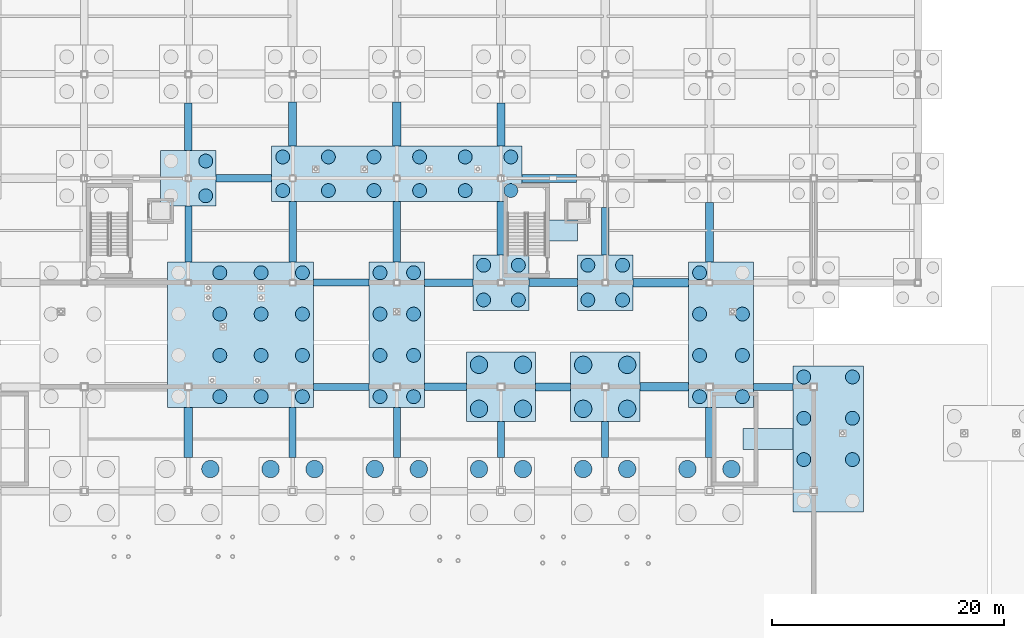
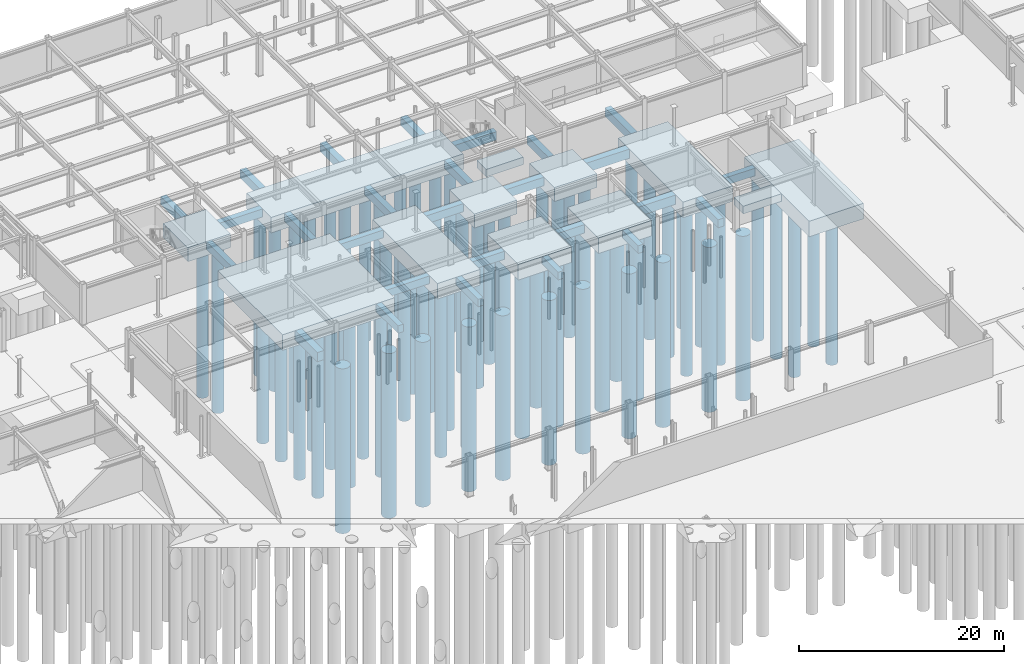
# One storey, part 6 of 74: 74 piles, 39 footings.
"""IFC4 building model written with IfcOpenShell, lengths in metres."""

import ifcopenshell
import ifcopenshell.guid

model = None  # the IFC model being written
_history = None  # IfcOwnerHistory: only IFC2X3 demands one
_inside = {}  # id of a spatial element -> (the spatial element, [elements in it])
_under = {}  # id of a project, library or spatial element -> (it, [spatial elements below it])
_declared = {}  # id of a project -> (the project, [libraries it declares])
_typed = {}  # id of a type object -> (the type object, [elements of that type])
_made_of = {}  # id of a material, layer set ... -> (it, [elements and type objects made of it])


def new_model(schema):
    """Start an empty IFC model of exactly this schema.

    Asked for "IFC4X3", IfcOpenShell would pick the latest addendum, in which some entities
    have other attributes; the version numbers below select the first issue.
    IFC2X3 requires an IfcOwnerHistory on every rooted entity: one is made here for all.
    """
    global model, _history
    if schema == "IFC4X3":
        model = ifcopenshell.file(schema_version=(4, 3, 0, 0))
    else:
        model = ifcopenshell.file(schema=schema)
    _inside.clear()
    _under.clear()
    _declared.clear()
    _typed.clear()
    _made_of.clear()
    _history = None
    if model.schema == "IFC2X3":
        org = make("IfcOrganization", Name="unknown")
        user = make(
            "IfcPersonAndOrganization",
            ThePerson=make("IfcPerson", FamilyName="unknown"),
            TheOrganization=org,
        )
        app = make(
            "IfcApplication",
            ApplicationDeveloper=org,
            Version="unknown",
            ApplicationFullName="unknown",
            ApplicationIdentifier="unknown",
        )
        _history = make(
            "IfcOwnerHistory",
            OwningUser=user,
            OwningApplication=app,
            ChangeAction="ADDED",
            CreationDate=0,
        )
    return model


def make(cls, **values):
    """One entity of the class cls with the attributes given. An attribute that is None is left unset."""
    return model.create_entity(
        cls, **{name: value for name, value in values.items() if value is not None}
    )


def rooted(cls, **values):
    """An entity with a GlobalId (a new one), such as an element, a storey or a relation."""
    return make(cls, GlobalId=ifcopenshell.guid.new(), OwnerHistory=_history, **values)


def si_unit(unit_type, name, prefix=None):
    """IfcSIUnit, for example si_unit("LENGTHUNIT", "METRE", prefix="MILLI")."""
    return make("IfcSIUnit", UnitType=unit_type, Prefix=prefix, Name=name)


def assignment(units):
    """IfcUnitAssignment: the units of a project."""
    return None if units is None else make("IfcUnitAssignment", Units=units)


def point(xyz):
    """IfcCartesianPoint."""
    return None if xyz is None else make("IfcCartesianPoint", Coordinates=xyz)


def direction(xyz):
    """IfcDirection."""
    return None if xyz is None else make("IfcDirection", DirectionRatios=xyz)


def frame(location, z_axis=None, x_axis=None):
    """IfcAxis2Placement3D, a coordinate frame: its origin and axes. An axis left out is left unset."""
    return make(
        "IfcAxis2Placement3D",
        Location=point(location),
        Axis=direction(z_axis),
        RefDirection=direction(x_axis),
    )


def frame_2d(location, x_axis=None):
    """IfcAxis2Placement2D, a coordinate frame in the plane: its origin and x axis."""
    return make(
        "IfcAxis2Placement2D", Location=point(location), RefDirection=direction(x_axis)
    )


def origin():
    """The frame at (0, 0, 0) with its axes left unset."""
    return frame((0.0, 0.0, 0.0))


def origin_2d():
    """The frame at (0, 0) in the plane with its x axis left unset."""
    return frame_2d((0.0, 0.0))


def place(relative_to, where):
    """IfcLocalPlacement: puts the frame where relative to a parent placement (None: the world)."""
    return make(
        "IfcLocalPlacement", PlacementRelTo=relative_to, RelativePlacement=where
    )


def context(
    kind, dimensions, precision=None, world=None, true_north=None, identifier=None
):
    """IfcGeometricRepresentationContext, for example the 3D "Model" context."""
    return make(
        "IfcGeometricRepresentationContext",
        ContextIdentifier=identifier,
        ContextType=kind,
        CoordinateSpaceDimension=dimensions,
        Precision=precision,
        WorldCoordinateSystem=world,
        TrueNorth=true_north,
    )


def subcontext(parent, identifier, kind, view, scale=None):
    """IfcGeometricRepresentationSubContext, for example "Body" below "Model"."""
    return make(
        "IfcGeometricRepresentationSubContext",
        ContextIdentifier=identifier,
        ContextType=kind,
        ParentContext=parent,
        TargetScale=scale,
        TargetView=view,
    )


def project(units=None, contexts=None):
    """IfcProject with its units and contexts."""
    return rooted(
        "IfcProject",
        Name="project",
        RepresentationContexts=contexts,
        UnitsInContext=assignment(units),
    )


def spatial(cls, under=None, at=None, **own):
    """A site, building, storey or space (cls), placed at a placement, below another one or the project."""
    s = rooted(cls, ObjectPlacement=at, **own)
    if under is not None:
        _under.setdefault(under.id(), (under, []))[1].append(s)
    return s


def polyline(points):
    """IfcPolyline through the points."""
    return make("IfcPolyline", Points=[point(p) for p in points])


def profile(cls, at=None, kind="AREA", **sizes):
    """A parametric profile (cls). Its sizes go by their IFC names, for example OverallWidth=200.0."""
    return make(cls, ProfileType=kind, Position=at, **sizes)


def rectangle(**sizes):
    """IfcRectangleProfileDef."""
    return profile("IfcRectangleProfileDef", **sizes)


def circle(**sizes):
    """IfcCircleProfileDef."""
    return profile("IfcCircleProfileDef", **sizes)


def outline(outer, holes=None, kind="AREA"):
    """IfcArbitraryClosedProfileDef: a profile drawn as a closed curve; with holes, ...WithVoids."""
    if holes is None:
        return make("IfcArbitraryClosedProfileDef", ProfileType=kind, OuterCurve=outer)
    return make(
        "IfcArbitraryProfileDefWithVoids",
        ProfileType=kind,
        OuterCurve=outer,
        InnerCurves=holes,
    )


def extrude(swept, where, along, depth):
    """IfcExtrudedAreaSolid: the profile swept, set in the frame where, extruded along a direction by depth."""
    return make(
        "IfcExtrudedAreaSolid",
        SweptArea=swept,
        Position=where,
        ExtrudedDirection=direction(along),
        Depth=depth,
    )


def shape(context_of_items, identifier, shape_type, items):
    """IfcShapeRepresentation: the items that make up one representation, for example the "Body"."""
    return make(
        "IfcShapeRepresentation",
        ContextOfItems=context_of_items,
        RepresentationIdentifier=identifier,
        RepresentationType=shape_type,
        Items=items,
    )


def material(Name=None, Category=None):
    """IfcMaterial."""
    return make("IfcMaterial", Name=Name, Category=Category)


def material_profile(
    of_material, cross_section, Name=None, Category=None, Priority=None
):
    """IfcMaterialProfile: a cross section and its material."""
    return make(
        "IfcMaterialProfile",
        Name=Name,
        Material=of_material,
        Profile=cross_section,
        Priority=Priority,
        Category=Category,
    )


def profile_set(profiles, Name=None, composite=None):
    """IfcMaterialProfileSet."""
    return make(
        "IfcMaterialProfileSet",
        Name=Name,
        MaterialProfiles=profiles,
        CompositeProfile=composite,
    )


def made_of(thing, what):
    """Note that an element or type object is made of a material, layer set ...; save() writes the relation."""
    if what is not None:
        _made_of.setdefault(what.id(), (what, []))[1].append(thing)
    return thing


def type_object(cls, material=None, **own):
    """A type object (cls), such as IfcWallType, which elements share."""
    return made_of(rooted(cls, **own), material)


def element(
    cls,
    number,
    at=None,
    inside=None,
    cuts=None,
    type_object=None,
    material=None,
    context=None,
    identifier="Body",
    shape_type=None,
    held_by="IfcProductDefinitionShape",
    body=None,
    shapes=None,
    **own,
):
    """One element of the class cls, such as IfcWall. Its Tag is "e" and its number.

    at: its placement. inside: the storey or other place that contains it. cuts: it is an
    opening in that element (IfcRelVoidsElement). A single representation is given by context,
    identifier, shape_type and body (its items); several are given by shapes. held_by: the class
    of the entity that holds the representations. save() writes the other relations.
    """
    e = rooted(cls, Tag="e%d" % number, ObjectPlacement=at, **own)
    if body is not None:
        shapes = [shape(context, identifier, shape_type, body)]
    if shapes is not None:
        e.Representation = make(held_by, Representations=shapes)
    if inside is not None:
        _inside.setdefault(inside.id(), (inside, []))[1].append(e)
    if cuts is not None:
        rooted(
            "IfcRelVoidsElement", RelatingBuildingElement=cuts, RelatedOpeningElement=e
        )
    if type_object is not None:
        _typed.setdefault(type_object.id(), (type_object, []))[1].append(e)
    return made_of(e, material)


def aggregate(whole, parts):
    """IfcRelAggregates: a whole, such as a stair, and the parts it consists of."""
    return rooted("IfcRelAggregates", RelatingObject=whole, RelatedObjects=parts)


def save(model, path):
    """Write the relations noted so far, then the file.

    IfcRelAggregates (storeys below a building ...), IfcRelContainedInSpatialStructure (elements
    in a storey), IfcRelDefinesByType, IfcRelAssociatesMaterial and IfcRelDeclares: one each for
    every whole, place, type object, material and project.
    """
    for whole, parts in _under.values():
        aggregate(whole, parts)
    for where, things in _inside.values():
        rooted(
            "IfcRelContainedInSpatialStructure",
            RelatedElements=things,
            RelatingStructure=where,
        )
    for kind, things in _typed.values():
        rooted("IfcRelDefinesByType", RelatedObjects=things, RelatingType=kind)
    for what, things in _made_of.values():
        rooted("IfcRelAssociatesMaterial", RelatedObjects=things, RelatingMaterial=what)
    for by, libraries in _declared.values():
        rooted("IfcRelDeclares", RelatingContext=by, RelatedDefinitions=libraries)
    model.write(path)


model = new_model("IFC4")

# Units and contexts
model_context = context("Model", 3, precision=1e-05, world=origin(), true_north=direction((0.0, 1.0)))
body_context = subcontext(model_context, "Body", "Model", "MODEL_VIEW")
ifc_project = project(units=[si_unit("LENGTHUNIT", "METRE"), si_unit("AREAUNIT", "SQUARE_METRE"), si_unit("VOLUMEUNIT", "CUBIC_METRE"), si_unit("PLANEANGLEUNIT", "RADIAN"), si_unit("MASSUNIT", "GRAM", prefix="KILO")], contexts=[model_context])

# Site, building, storey
site_placement = place(None, origin())
site = spatial("IfcSite", under=ifc_project, at=site_placement, CompositionType="ELEMENT")
building_placement = place(site_placement, origin())
building = spatial("IfcBuilding", under=site, at=building_placement, Name="Suzunagisa Mobility Hub", CompositionType="ELEMENT")
storey_placement = place(building_placement, frame((0.0, 0.0, -4.800048828125)))
storey = spatial("IfcBuildingStorey", under=building, at=storey_placement, Name="B1", CompositionType="ELEMENT", Elevation=-4.800048828125)

# Piles
ifc_material_1 = material(Name="Concrete C30/37", Category="concrete")
ifc_material_profile_1 = material_profile(ifc_material_1, circle(Radius=0.60009765625, at=origin_2d()), Name="BORED PILE D1200")
ifc_profile_set_1 = profile_set([ifc_material_profile_1], Name="Concrete C30/37")
pile_type_1 = type_object("IfcPileType", Name="Bored Pile PL-01 D1200", PredefinedType="BORED", material=ifc_profile_set_1)
for number, where, z_axis, x_axis, name in (
    (1, (65.716796875, 70.14990234375, -2.199951171875), (0.0, 0.0, -1.0), (1.0, 0.0, 0.0), "Bored Pile 52.5"),
    (2, (65.716796875, 73.716796875, -2.199951171875), (0.0, 0.0, -1.0), (1.0, 0.0, 0.0), "Bored Pile 52.6"),
    (3, (65.716796875, 77.283203125, -2.199951171875), (0.0, 0.0, -1.0), (1.0, 0.0, 0.0), "Bored Pile 52.7"),
    (4, (65.716796875, 80.85009765625, -2.199951171875), (0.0, 0.0, -1.0), (1.0, 0.0, 0.0), "Bored Pile 52.8"),
    (5, (69.283203125, 70.14990234375, -2.199951171875), (0.0, 0.0, -1.0), (1.0, 0.0, 0.0), "Bored Pile 52.9"),
    (6, (69.283203125, 73.716796875, -2.199951171875), (0.0, 0.0, -1.0), (1.0, 0.0, 0.0), "Bored Pile 52.10"),
    (7, (69.283203125, 77.283203125, -2.199951171875), (0.0, 0.0, -1.0), (1.0, 0.0, 0.0), "Bored Pile 52.11"),
    (8, (69.283203125, 80.85009765625, -2.199951171875), (0.0, 0.0, -1.0), (1.0, 0.0, 0.0), "Bored Pile 52.12"),
    (9, (72.85009765625, 70.14990234375, -2.199951171875), (0.0, 0.0, -1.0), (1.0, 0.0, 0.0), "Bored Pile 52.13"),
    (10, (72.85009765625, 73.716796875, -2.199951171875), (0.0, 0.0, -1.0), (1.0, 0.0, 0.0), "Bored Pile 52.14"),
    (11, (72.85009765625, 77.283203125, -2.199951171875), (0.0, 0.0, -1.0), (1.0, 0.0, 0.0), "Bored Pile 52.15"),
    (12, (72.85009765625, 80.85009765625, -2.199951171875), (0.0, 0.0, -1.0), (1.0, 0.0, 0.0), "Bored Pile 52.16"),
):
    element("IfcPile", number, at=place(storey_placement, frame(where, z_axis=z_axis, x_axis=x_axis)), inside=storey, type_object=pile_type_1, Name=name, PredefinedType="BORED", context=body_context, shape_type="SweptSolid", body=[
        extrude(circle(Radius=0.60009765625, at=origin_2d()), origin(), (0.0, 0.0, 1.0), 19.5),
    ])
for number, where, z_axis, x_axis, name in (
    (13, (64.5, 87.5, -2.0), (0.0, 0.0, -1.0), (1.0, 0.0, 0.0), "Bored Pile 53.2"),
    (14, (64.5, 90.5, -2.0), (0.0, 0.0, -1.0), (1.0, 0.0, 0.0), "Bored Pile 53.4"),
):
    element("IfcPile", number, at=place(storey_placement, frame(where, z_axis=z_axis, x_axis=x_axis)), inside=storey, type_object=pile_type_1, Name=name, PredefinedType="BORED", context=body_context, shape_type="SweptSolid", body=[
        extrude(circle(Radius=0.60009765625, at=origin_2d()), origin(), (0.0, 0.0, 1.0), 19.699951171875),
    ])
for number, where, z_axis, x_axis, name in (
    (15, (71.14990234375, 87.949951171875, -2.199951171875), (0.0, 0.0, -1.0), (1.0, 0.0, 0.0), "Bored Pile 60.1"),
    (16, (71.14990234375, 90.85009765625, -2.199951171875), (0.0, 0.0, -1.0), (1.0, 0.0, 0.0), "Bored Pile 60.2"),
    (17, (75.090087890625, 87.949951171875, -2.199951171875), (0.0, 0.0, -1.0), (1.0, 0.0, 0.0), "Bored Pile 60.3"),
    (18, (75.090087890625, 90.85009765625, -2.199951171875), (0.0, 0.0, -1.0), (1.0, 0.0, 0.0), "Bored Pile 60.4"),
    (19, (79.030029296875, 87.949951171875, -2.199951171875), (0.0, 0.0, -1.0), (1.0, 0.0, 0.0), "Bored Pile 60.5"),
    (20, (79.030029296875, 90.85009765625, -2.199951171875), (0.0, 0.0, -1.0), (1.0, 0.0, 0.0), "Bored Pile 60.6"),
    (21, (82.969970703125, 87.949951171875, -2.199951171875), (0.0, 0.0, -1.0), (1.0, 0.0, 0.0), "Bored Pile 60.7"),
    (22, (82.969970703125, 90.85009765625, -2.199951171875), (0.0, 0.0, -1.0), (1.0, 0.0, 0.0), "Bored Pile 60.8"),
    (23, (86.909912109375, 87.949951171875, -2.199951171875), (0.0, 0.0, -1.0), (1.0, 0.0, 0.0), "Bored Pile 60.9"),
    (24, (86.909912109375, 90.85009765625, -2.199951171875), (0.0, 0.0, -1.0), (1.0, 0.0, 0.0), "Bored Pile 60.10"),
    (25, (90.85009765625, 87.949951171875, -2.199951171875), (0.0, 0.0, -1.0), (1.0, 0.0, 0.0), "Bored Pile 60.11"),
    (26, (90.85009765625, 90.85009765625, -2.199951171875), (0.0, 0.0, -1.0), (1.0, 0.0, 0.0), "Bored Pile 60.12"),
    (27, (79.550048828125, 70.14990234375, -2.199951171875), (0.0, 0.0, -1.0), (1.0, 0.0, 0.0), "Bored Pile 66.1"),
    (28, (79.550048828125, 73.716796875, -2.199951171875), (0.0, 0.0, -1.0), (1.0, 0.0, 0.0), "Bored Pile 66.2"),
    (29, (79.550048828125, 77.283203125, -2.199951171875), (0.0, 0.0, -1.0), (1.0, 0.0, 0.0), "Bored Pile 66.3"),
    (30, (79.550048828125, 80.85009765625, -2.199951171875), (0.0, 0.0, -1.0), (1.0, 0.0, 0.0), "Bored Pile 66.4"),
    (31, (82.449951171875, 70.14990234375, -2.199951171875), (0.0, 0.0, -1.0), (1.0, 0.0, 0.0), "Bored Pile 66.5"),
    (32, (82.449951171875, 73.716796875, -2.199951171875), (0.0, 0.0, -1.0), (1.0, 0.0, 0.0), "Bored Pile 66.6"),
    (33, (82.449951171875, 77.283203125, -2.199951171875), (0.0, 0.0, -1.0), (1.0, 0.0, 0.0), "Bored Pile 66.7"),
    (34, (82.449951171875, 80.85009765625, -2.199951171875), (0.0, 0.0, -1.0), (1.0, 0.0, 0.0), "Bored Pile 66.8"),
):
    element("IfcPile", number, at=place(storey_placement, frame(where, z_axis=z_axis, x_axis=x_axis)), inside=storey, type_object=pile_type_1, Name=name, PredefinedType="BORED", context=body_context, shape_type="SweptSolid", body=[
        extrude(circle(Radius=0.60009765625, at=origin_2d()), origin(), (0.0, 0.0, 1.0), 19.5),
    ])
for number, where, z_axis, x_axis, name in (
    (35, (88.5, 78.5, -2.0), (0.0, 0.0, -1.0), (1.0, 0.0, 0.0), "Bored Pile 71.1"),
    (36, (91.5, 78.5, -2.0), (0.0, 0.0, -1.0), (1.0, 0.0, 0.0), "Bored Pile 71.2"),
    (37, (88.5, 81.5, -2.0), (0.0, 0.0, -1.0), (1.0, 0.0, 0.0), "Bored Pile 71.3"),
    (38, (91.5, 81.5, -2.0), (0.0, 0.0, -1.0), (1.0, 0.0, 0.0), "Bored Pile 71.4"),
    (39, (97.5, 78.5, -2.0), (0.0, 0.0, -1.0), (1.0, 0.0, 0.0), "Bored Pile 77.1"),
    (40, (100.5, 78.5, -2.0), (0.0, 0.0, -1.0), (1.0, 0.0, 0.0), "Bored Pile 77.2"),
    (41, (97.5, 81.5, -2.0), (0.0, 0.0, -1.0), (1.0, 0.0, 0.0), "Bored Pile 77.3"),
    (42, (100.5, 81.5, -2.0), (0.0, 0.0, -1.0), (1.0, 0.0, 0.0), "Bored Pile 77.4"),
):
    element("IfcPile", number, at=place(storey_placement, frame(where, z_axis=z_axis, x_axis=x_axis)), inside=storey, type_object=pile_type_1, Name=name, PredefinedType="BORED", context=body_context, shape_type="SweptSolid", body=[
        extrude(circle(Radius=0.60009765625, at=origin_2d()), origin(), (0.0, 0.0, 1.0), 19.699951171875),
    ])
for number, where, z_axis, x_axis, name in (
    (43, (107.14990234375, 70.14990234375, -2.199951171875), (0.0, 0.0, -1.0), (1.0, 0.0, 0.0), "Bored Pile 84.1"),
    (44, (107.14990234375, 73.716796875, -2.199951171875), (0.0, 0.0, -1.0), (1.0, 0.0, 0.0), "Bored Pile 84.2"),
    (45, (107.14990234375, 77.283203125, -2.199951171875), (0.0, 0.0, -1.0), (1.0, 0.0, 0.0), "Bored Pile 84.3"),
    (46, (107.14990234375, 80.85009765625, -2.199951171875), (0.0, 0.0, -1.0), (1.0, 0.0, 0.0), "Bored Pile 84.4"),
    (47, (110.85009765625, 70.14990234375, -2.199951171875), (0.0, 0.0, -1.0), (1.0, 0.0, 0.0), "Bored Pile 84.5"),
    (48, (110.85009765625, 73.716796875, -2.199951171875), (0.0, 0.0, -1.0), (1.0, 0.0, 0.0), "Bored Pile 84.6"),
    (49, (110.85009765625, 77.283203125, -2.199951171875), (0.0, 0.0, -1.0), (1.0, 0.0, 0.0), "Bored Pile 84.7"),
):
    element("IfcPile", number, at=place(storey_placement, frame(where, z_axis=z_axis, x_axis=x_axis)), inside=storey, type_object=pile_type_1, Name=name, PredefinedType="BORED", context=body_context, shape_type="SweptSolid", body=[
        extrude(circle(Radius=0.60009765625, at=origin_2d()), origin(), (0.0, 0.0, 1.0), 19.5),
    ])
for number, where, z_axis, x_axis, name in (
    (50, (116.14990234375, 64.716796875, -2.14990234375), (0.0, 0.0, -1.0), (1.0, 0.0, 0.0), "Bored Pile 89.2"),
    (51, (116.14990234375, 68.283203125, -2.14990234375), (0.0, 0.0, -1.0), (1.0, 0.0, 0.0), "Bored Pile 89.3"),
    (52, (116.14990234375, 71.85009765625, -2.14990234375), (0.0, 0.0, -1.0), (1.0, 0.0, 0.0), "Bored Pile 89.4"),
    (53, (120.35009765625, 64.716796875, -2.14990234375), (0.0, 0.0, -1.0), (1.0, 0.0, 0.0), "Bored Pile 89.6"),
    (54, (120.35009765625, 68.283203125, -2.14990234375), (0.0, 0.0, -1.0), (1.0, 0.0, 0.0), "Bored Pile 89.7"),
    (55, (120.35009765625, 71.85009765625, -2.14990234375), (0.0, 0.0, -1.0), (1.0, 0.0, 0.0), "Bored Pile 89.8"),
):
    element("IfcPile", number, at=place(storey_placement, frame(where, z_axis=z_axis, x_axis=x_axis)), inside=storey, type_object=pile_type_1, Name=name, PredefinedType="BORED", context=body_context, shape_type="SweptSolid", body=[
        extrude(circle(Radius=0.60009765625, at=origin_2d()), origin(), (0.0, 0.0, 1.0), 19.550048828125),
    ])
ifc_material_profile_2 = material_profile(ifc_material_1, circle(Radius=0.75, at=origin_2d()), Name="BORED PILE D1500")
ifc_profile_set_2 = profile_set([ifc_material_profile_2], Name="Concrete C30/37")
pile_type_2 = type_object("IfcPileType", Name="Bored Pile PL-03 D1500", PredefinedType="BORED", material=ifc_profile_set_2)
for number, where, z_axis, x_axis, name in (
    (56, (64.89990234375, 63.89990234375, -2.099853515625), (0.0, 0.0, -1.0), (1.0, 0.0, 0.0), "Bored Pile 51.4"),
    (57, (70.10009765625, 63.89990234375, -2.099853515625), (0.0, 0.0, -1.0), (1.0, 0.0, 0.0), "Bored Pile 59.3"),
    (58, (73.89990234375, 63.89990234375, -2.099853515625), (0.0, 0.0, -1.0), (1.0, 0.0, 0.0), "Bored Pile 59.4"),
    (59, (79.10009765625, 63.89990234375, -2.099853515625), (0.0, 0.0, -1.0), (1.0, 0.0, 0.0), "Bored Pile 65.3"),
    (60, (82.89990234375, 63.89990234375, -2.099853515625), (0.0, 0.0, -1.0), (1.0, 0.0, 0.0), "Bored Pile 65.4"),
    (61, (88.10009765625, 63.89990234375, -2.099853515625), (0.0, 0.0, -1.0), (1.0, 0.0, 0.0), "Bored Pile 69.3"),
    (62, (91.89990234375, 63.89990234375, -2.099853515625), (0.0, 0.0, -1.0), (1.0, 0.0, 0.0), "Bored Pile 69.4"),
):
    element("IfcPile", number, at=place(storey_placement, frame(where, z_axis=z_axis, x_axis=x_axis)), inside=storey, type_object=pile_type_2, Name=name, PredefinedType="BORED", context=body_context, shape_type="SweptSolid", body=[
        extrude(circle(Radius=0.75, at=origin_2d()), origin(), (0.0, 0.0, 1.0), 19.60009765625),
    ])
for number, where, z_axis, x_axis, name in (
    (63, (88.10009765625, 69.10009765625, -2.14990234375), (0.0, 0.0, -1.0), (1.0, 0.0, 0.0), "Bored Pile 70.1"),
    (64, (91.89990234375, 69.10009765625, -2.14990234375), (0.0, 0.0, -1.0), (1.0, 0.0, 0.0), "Bored Pile 70.2"),
    (65, (88.10009765625, 72.89990234375, -2.14990234375), (0.0, 0.0, -1.0), (1.0, 0.0, 0.0), "Bored Pile 70.3"),
    (66, (91.89990234375, 72.89990234375, -2.14990234375), (0.0, 0.0, -1.0), (1.0, 0.0, 0.0), "Bored Pile 70.4"),
):
    element("IfcPile", number, at=place(storey_placement, frame(where, z_axis=z_axis, x_axis=x_axis)), inside=storey, type_object=pile_type_2, Name=name, PredefinedType="BORED", context=body_context, shape_type="SweptSolid", body=[
        extrude(circle(Radius=0.75, at=origin_2d()), origin(), (0.0, 0.0, 1.0), 19.550048828125),
    ])
for number, where, z_axis, x_axis, name in (
    (67, (97.10009765625, 63.89990234375, -2.099853515625), (0.0, 0.0, -1.0), (1.0, 0.0, 0.0), "Bored Pile 75.3"),
    (68, (100.89990234375, 63.89990234375, -2.099853515625), (0.0, 0.0, -1.0), (1.0, 0.0, 0.0), "Bored Pile 75.4"),
):
    element("IfcPile", number, at=place(storey_placement, frame(where, z_axis=z_axis, x_axis=x_axis)), inside=storey, type_object=pile_type_2, Name=name, PredefinedType="BORED", context=body_context, shape_type="SweptSolid", body=[
        extrude(circle(Radius=0.75, at=origin_2d()), origin(), (0.0, 0.0, 1.0), 19.60009765625),
    ])
for number, where, z_axis, x_axis, name in (
    (69, (97.10009765625, 69.10009765625, -2.14990234375), (0.0, 0.0, -1.0), (1.0, 0.0, 0.0), "Bored Pile 76.1"),
    (70, (100.89990234375, 69.10009765625, -2.14990234375), (0.0, 0.0, -1.0), (1.0, 0.0, 0.0), "Bored Pile 76.2"),
    (71, (97.10009765625, 72.89990234375, -2.14990234375), (0.0, 0.0, -1.0), (1.0, 0.0, 0.0), "Bored Pile 76.3"),
    (72, (100.89990234375, 72.89990234375, -2.14990234375), (0.0, 0.0, -1.0), (1.0, 0.0, 0.0), "Bored Pile 76.4"),
):
    element("IfcPile", number, at=place(storey_placement, frame(where, z_axis=z_axis, x_axis=x_axis)), inside=storey, type_object=pile_type_2, Name=name, PredefinedType="BORED", context=body_context, shape_type="SweptSolid", body=[
        extrude(circle(Radius=0.75, at=origin_2d()), origin(), (0.0, 0.0, 1.0), 19.550048828125),
    ])
for number, where, z_axis, x_axis, name in (
    (73, (106.10009765625, 63.89990234375, -2.099853515625), (0.0, 0.0, -1.0), (1.0, 0.0, 0.0), "Bored Pile 83.3"),
    (74, (109.89990234375, 63.89990234375, -2.099853515625), (0.0, 0.0, -1.0), (1.0, 0.0, 0.0), "Bored Pile 83.4"),
):
    element("IfcPile", number, at=place(storey_placement, frame(where, z_axis=z_axis, x_axis=x_axis)), inside=storey, type_object=pile_type_2, Name=name, PredefinedType="BORED", context=body_context, shape_type="SweptSolid", body=[
        extrude(circle(Radius=0.75, at=origin_2d()), origin(), (0.0, 0.0, 1.0), 19.60009765625),
    ])

# Footings
ifc_material_2 = material(Name="Concrete C35/45", Category="concrete")
footing_type_1 = type_object("IfcFootingType", Name="Combined Prow Pile Cap FR-11 5600x12600x1850", PredefinedType="PILE_CAP", material=ifc_material_2)
footing_1_placement = place(storey_placement, frame((109.0, 75.5, -2.35009765625), z_axis=(0.0, 0.0, 1.0), x_axis=(1.0, 0.0, 0.0)))
element("IfcFooting", 75, at=footing_1_placement, inside=storey, type_object=footing_type_1, Name="Combined Prow Pile Cap 84", PredefinedType="PILE_CAP", context=body_context, shape_type="SweptSolid", body=[
    extrude(rectangle(XDim=5.60009765625, YDim=12.60009765625, at=origin_2d()), origin(), (0.0, 0.0, 1.0), 1.85009765625),
])
footing_type_2 = type_object("IfcFootingType", Name="Combined Prow Pile Cap FR-12 12600x12600x1850", PredefinedType="PILE_CAP", material=ifc_material_2)
footing_2_placement = place(storey_placement, frame((67.5, 75.5, -2.35009765625), z_axis=(0.0, 0.0, 1.0), x_axis=(1.0, 0.0, 0.0)))
element("IfcFooting", 76, at=footing_2_placement, inside=storey, type_object=footing_type_2, Name="Combined Prow Pile Cap 52", PredefinedType="PILE_CAP", context=body_context, shape_type="SweptSolid", body=[
    extrude(rectangle(XDim=12.60009765625, YDim=12.60009765625, at=origin_2d()), origin(), (0.0, 0.0, 1.0), 1.85009765625),
])
footing_type_3 = type_object("IfcFootingType", Name="Combined Prow Pile Cap FR-13 21600x4800x1850", PredefinedType="PILE_CAP", material=ifc_material_2)
footing_3_placement = place(storey_placement, frame((81.0, 89.39990234375, -2.35009765625), z_axis=(0.0, 0.0, 1.0), x_axis=(1.0, 0.0, 0.0)))
element("IfcFooting", 77, at=footing_3_placement, inside=storey, type_object=footing_type_3, Name="Combined Prow Pile Cap 60", PredefinedType="PILE_CAP", context=body_context, shape_type="SweptSolid", body=[
    extrude(rectangle(XDim=21.60009765625, YDim=4.800048828125, at=origin_2d()), origin(), (0.0, 0.0, 1.0), 1.85009765625),
])
footing_type_4 = type_object("IfcFootingType", Name="Combined Prow Pile Cap FR-16 4800x12600x1850", PredefinedType="PILE_CAP", material=ifc_material_2)
footing_4_placement = place(storey_placement, frame((81.0, 75.5, -2.35009765625), z_axis=(0.0, 0.0, 1.0), x_axis=(1.0, 0.0, 0.0)))
element("IfcFooting", 78, at=footing_4_placement, inside=storey, type_object=footing_type_4, Name="Combined Prow Pile Cap 66", PredefinedType="PILE_CAP", context=body_context, shape_type="SweptSolid", body=[
    extrude(rectangle(XDim=4.800048828125, YDim=12.60009765625, at=origin_2d()), origin(), (0.0, 0.0, 1.0), 1.85009765625),
])
footing_type_5 = type_object("IfcFootingType", Name="Combined Prow Pile Cap FR-18 6100x12600x1850", PredefinedType="PILE_CAP", material=ifc_material_2)
footing_5_placement = place(storey_placement, frame((118.25, 66.5, -2.300048828125), z_axis=(0.0, 0.0, 1.0), x_axis=(1.0, 0.0, 0.0)))
element("IfcFooting", 79, at=footing_5_placement, inside=storey, type_object=footing_type_5, Name="Combined Prow Pile Cap 89", PredefinedType="PILE_CAP", context=body_context, shape_type="SweptSolid", body=[
    extrude(rectangle(XDim=6.10009765625, YDim=12.60009765625, at=origin_2d()), origin(), (0.0, 0.0, 1.0), 1.85009765625),
])
footing_type_6 = type_object("IfcFootingType", Name="Ground Tie Beam FT-03 750x1100", PredefinedType="FOOTING_BEAM", material=ifc_material_2)
footing_6_placement = place(storey_placement, frame((0.0, 0.0, -1.599853515625)))
element("IfcFooting", 80, at=footing_6_placement, inside=storey, type_object=footing_type_6, Name="Foundation Tie Beam TBX-84", PredefinedType="FOOTING_BEAM", context=body_context, shape_type="SweptSolid", body=[
    extrude(outline(polyline([(102.0, 70.625), (106.199951171875, 70.625), (106.199951171875, 71.375), (102.0, 71.375), (102.0, 70.625)])), origin(), (0.0, 0.0, 1.0), 1.099853515625),
])
footing_7_placement = place(storey_placement, frame((0.0, 0.0, -1.599853515625)))
element("IfcFooting", 81, at=footing_7_placement, inside=storey, type_object=footing_type_6, Name="Foundation Tie Beam TBX-96", PredefinedType="FOOTING_BEAM", context=body_context, shape_type="SweptSolid", body=[
    extrude(outline(polyline([(101.39990234375, 79.625), (106.199951171875, 79.625), (106.199951171875, 80.375), (101.39990234375, 80.375), (101.39990234375, 79.625)])), origin(), (0.0, 0.0, 1.0), 1.099853515625),
])
footing_8_placement = place(storey_placement, frame((0.0, 0.0, -1.599853515625)))
element("IfcFooting", 82, at=footing_8_placement, inside=storey, type_object=footing_type_6, Name="Foundation Tie Beam TBY-188", PredefinedType="FOOTING_BEAM", context=body_context, shape_type="SweptSolid", body=[
    extrude(outline(polyline([(62.625, 64.89990234375), (63.375, 64.89990234375), (63.375, 69.199951171875), (62.625, 69.199951171875), (62.625, 64.89990234375)])), origin(), (0.0, 0.0, 1.0), 1.099853515625),
])
footing_type_7 = type_object("IfcFootingType", Name="Ground Tie Beam FT-05 600x900", PredefinedType="FOOTING_BEAM", material=ifc_material_2)
footing_9_placement = place(storey_placement, frame((0.0, 0.0, -1.39990234375)))
element("IfcFooting", 83, at=footing_9_placement, inside=storey, type_object=footing_type_7, Name="Foundation Tie Beam TBX-81", PredefinedType="FOOTING_BEAM", context=body_context, shape_type="SweptSolid", body=[
    extrude(outline(polyline([(73.800048828125, 70.699951171875), (78.60009765625, 70.699951171875), (78.60009765625, 71.300048828125), (73.800048828125, 71.300048828125), (73.800048828125, 70.699951171875)])), origin(), (0.0, 0.0, 1.0), 0.89990234375),
])
footing_10_placement = place(storey_placement, frame((0.0, 0.0, -1.39990234375)))
element("IfcFooting", 84, at=footing_10_placement, inside=storey, type_object=footing_type_7, Name="Foundation Tie Beam TBX-85", PredefinedType="FOOTING_BEAM", context=body_context, shape_type="SweptSolid", body=[
    extrude(outline(polyline([(111.800048828125, 70.699951171875), (115.199951171875, 70.699951171875), (115.199951171875, 71.300048828125), (111.800048828125, 71.300048828125), (111.800048828125, 70.699951171875)])), origin(), (0.0, 0.0, 1.0), 0.89990234375),
])
footing_11_placement = place(storey_placement, frame((0.0, 0.0, -1.39990234375)))
element("IfcFooting", 85, at=footing_11_placement, inside=storey, type_object=footing_type_7, Name="Foundation Tie Beam TBX-93", PredefinedType="FOOTING_BEAM", context=body_context, shape_type="SweptSolid", body=[
    extrude(outline(polyline([(73.800048828125, 79.699951171875), (78.60009765625, 79.699951171875), (78.60009765625, 80.300048828125), (73.800048828125, 80.300048828125), (73.800048828125, 79.699951171875)])), origin(), (0.0, 0.0, 1.0), 0.89990234375),
])
footing_12_placement = place(storey_placement, frame((0.0, 0.0, -1.39990234375)))
element("IfcFooting", 86, at=footing_12_placement, inside=storey, type_object=footing_type_7, Name="Foundation Tie Beam TBY-189", PredefinedType="FOOTING_BEAM", context=body_context, shape_type="SweptSolid", body=[
    extrude(outline(polyline([(62.699951171875, 81.800048828125), (63.300048828125, 81.800048828125), (63.300048828125, 86.60009765625), (62.699951171875, 86.60009765625), (62.699951171875, 81.800048828125)])), origin(), (0.0, 0.0, 1.0), 0.89990234375),
])
footing_13_placement = place(storey_placement, frame((0.0, 0.0, -1.39990234375)))
element("IfcFooting", 87, at=footing_13_placement, inside=storey, type_object=footing_type_7, Name="Foundation Tie Beam TBY-193", PredefinedType="FOOTING_BEAM", context=body_context, shape_type="SweptSolid", body=[
    extrude(outline(polyline([(71.699951171875, 64.89990234375), (72.300048828125, 64.89990234375), (72.300048828125, 69.199951171875), (71.699951171875, 69.199951171875), (71.699951171875, 64.89990234375)])), origin(), (0.0, 0.0, 1.0), 0.89990234375),
])
footing_14_placement = place(storey_placement, frame((0.0, 0.0, -1.39990234375)))
element("IfcFooting", 88, at=footing_14_placement, inside=storey, type_object=footing_type_7, Name="Foundation Tie Beam TBY-197", PredefinedType="FOOTING_BEAM", context=body_context, shape_type="SweptSolid", body=[
    extrude(outline(polyline([(80.699951171875, 64.89990234375), (81.300048828125, 64.89990234375), (81.300048828125, 69.199951171875), (80.699951171875, 69.199951171875), (80.699951171875, 64.89990234375)])), origin(), (0.0, 0.0, 1.0), 0.89990234375),
])
footing_15_placement = place(storey_placement, frame((0.0, 0.0, -1.349853515625)))
element("IfcFooting", 89, at=footing_15_placement, inside=storey, type_object=footing_type_7, Name="Foundation Tie Beam TBY-201", PredefinedType="FOOTING_BEAM", context=body_context, shape_type="SweptSolid", body=[
    extrude(outline(polyline([(89.699951171875, 64.89990234375), (90.300048828125, 64.89990234375), (90.300048828125, 68.0), (89.699951171875, 68.0), (89.699951171875, 64.89990234375)])), origin(), (0.0, 0.0, 1.0), 0.89990234375),
])
footing_16_placement = place(storey_placement, frame((0.0, 0.0, -1.349853515625)))
element("IfcFooting", 90, at=footing_16_placement, inside=storey, type_object=footing_type_7, Name="Foundation Tie Beam TBY-205", PredefinedType="FOOTING_BEAM", context=body_context, shape_type="SweptSolid", body=[
    extrude(outline(polyline([(98.699951171875, 64.89990234375), (99.300048828125, 64.89990234375), (99.300048828125, 68.0), (98.699951171875, 68.0), (98.699951171875, 64.89990234375)])), origin(), (0.0, 0.0, 1.0), 0.89990234375),
])
footing_type_8 = type_object("IfcFootingType", Name="Ground Tie Beam FT-07 650x950", PredefinedType="FOOTING_BEAM", material=ifc_material_2)
footing_17_placement = place(storey_placement, frame((0.0, 0.0, -1.449951171875)))
element("IfcFooting", 91, at=footing_17_placement, inside=storey, type_object=footing_type_8, Name="Foundation Tie Beam TBX-82", PredefinedType="FOOTING_BEAM", context=body_context, shape_type="SweptSolid", body=[
    extrude(outline(polyline([(83.39990234375, 70.675048828125), (87.0, 70.675048828125), (87.0, 71.324951171875), (83.39990234375, 71.324951171875), (83.39990234375, 70.675048828125)])), origin(), (0.0, 0.0, 1.0), 0.949951171875),
])
footing_18_placement = place(storey_placement, frame((0.0, 0.0, -1.449951171875)))
element("IfcFooting", 92, at=footing_18_placement, inside=storey, type_object=footing_type_8, Name="Foundation Tie Beam TBX-94", PredefinedType="FOOTING_BEAM", context=body_context, shape_type="SweptSolid", body=[
    extrude(outline(polyline([(83.39990234375, 79.675048828125), (87.60009765625, 79.675048828125), (87.60009765625, 80.324951171875), (83.39990234375, 80.324951171875), (83.39990234375, 79.675048828125)])), origin(), (0.0, 0.0, 1.0), 0.949951171875),
])
footing_19_placement = place(storey_placement, frame((0.0, 0.0, -1.449951171875)))
element("IfcFooting", 93, at=footing_19_placement, inside=storey, type_object=footing_type_8, Name="Foundation Tie Beam TBX-106", PredefinedType="FOOTING_BEAM", context=body_context, shape_type="SweptSolid", body=[
    extrude(outline(polyline([(65.39990234375, 88.675048828125), (70.199951171875, 88.675048828125), (70.199951171875, 89.324951171875), (65.39990234375, 89.324951171875), (65.39990234375, 88.675048828125)])), origin(), (0.0, 0.0, 1.0), 0.949951171875),
])
footing_20_placement = place(storey_placement, frame((0.0, 0.0, -1.449951171875)))
element("IfcFooting", 94, at=footing_20_placement, inside=storey, type_object=footing_type_8, Name="Foundation Tie Beam TBY-190", PredefinedType="FOOTING_BEAM", context=body_context, shape_type="SweptSolid", body=[
    extrude(outline(polyline([(62.675048828125, 91.39990234375), (63.324951171875, 91.39990234375), (63.324951171875, 95.5), (62.675048828125, 95.5), (62.675048828125, 91.39990234375)])), origin(), (0.0, 0.0, 1.0), 0.949951171875),
])
footing_21_placement = place(storey_placement, frame((0.0, 0.0, -1.449951171875)))
element("IfcFooting", 95, at=footing_21_placement, inside=storey, type_object=footing_type_8, Name="Foundation Tie Beam TBY-194", PredefinedType="FOOTING_BEAM", context=body_context, shape_type="SweptSolid", body=[
    extrude(outline(polyline([(71.675048828125, 81.800048828125), (72.324951171875, 81.800048828125), (72.324951171875, 87.0), (71.675048828125, 87.0), (71.675048828125, 81.800048828125)])), origin(), (0.0, 0.0, 1.0), 0.949951171875),
])
footing_22_placement = place(storey_placement, frame((0.0, 0.0, -1.449951171875)))
element("IfcFooting", 96, at=footing_22_placement, inside=storey, type_object=footing_type_8, Name="Foundation Tie Beam TBY-198", PredefinedType="FOOTING_BEAM", context=body_context, shape_type="SweptSolid", body=[
    extrude(outline(polyline([(80.675048828125, 81.800048828125), (81.324951171875, 81.800048828125), (81.324951171875, 87.0), (80.675048828125, 87.0), (80.675048828125, 81.800048828125)])), origin(), (0.0, 0.0, 1.0), 0.949951171875),
])
footing_23_placement = place(storey_placement, frame((0.0, 0.0, -1.449951171875)))
element("IfcFooting", 97, at=footing_23_placement, inside=storey, type_object=footing_type_8, Name="Foundation Tie Beam TBY-202", PredefinedType="FOOTING_BEAM", context=body_context, shape_type="SweptSolid", body=[
    extrude(outline(polyline([(89.675048828125, 82.39990234375), (90.324951171875, 82.39990234375), (90.324951171875, 87.0), (89.675048828125, 87.0), (89.675048828125, 82.39990234375)])), origin(), (0.0, 0.0, 1.0), 0.949951171875),
])
footing_24_placement = place(storey_placement, frame((0.0, 0.0, -1.449951171875)))
element("IfcFooting", 98, at=footing_24_placement, inside=storey, type_object=footing_type_8, Name="Foundation Tie Beam TBY-206", PredefinedType="FOOTING_BEAM", context=body_context, shape_type="SweptSolid", body=[
    extrude(outline(polyline([(98.675048828125, 82.39990234375), (99.324951171875, 82.39990234375), (99.324951171875, 86.5), (98.675048828125, 86.5), (98.675048828125, 82.39990234375)])), origin(), (0.0, 0.0, 1.0), 0.949951171875),
])
footing_25_placement = place(storey_placement, frame((0.0, 0.0, -1.449951171875)))
element("IfcFooting", 99, at=footing_25_placement, inside=storey, type_object=footing_type_8, Name="Foundation Tie Beam TBY-210", PredefinedType="FOOTING_BEAM", context=body_context, shape_type="SweptSolid", body=[
    extrude(outline(polyline([(107.675048828125, 64.89990234375), (108.324951171875, 64.89990234375), (108.324951171875, 69.199951171875), (107.675048828125, 69.199951171875), (107.675048828125, 64.89990234375)])), origin(), (0.0, 0.0, 1.0), 0.949951171875),
])
footing_type_9 = type_object("IfcFootingType", Name="Ground Tie Beam FT-23 700x1000", PredefinedType="FOOTING_BEAM", material=ifc_material_2)
footing_26_placement = place(storey_placement, frame((0.0, 0.0, -1.449951171875)))
element("IfcFooting", 100, at=footing_26_placement, inside=storey, type_object=footing_type_9, Name="Foundation Tie Beam TBX-83", PredefinedType="FOOTING_BEAM", context=body_context, shape_type="SweptSolid", body=[
    extrude(outline(polyline([(93.0, 70.64990234375), (96.0, 70.64990234375), (96.0, 71.35009765625), (93.0, 71.35009765625), (93.0, 70.64990234375)])), origin(), (0.0, 0.0, 1.0), 1.0),
])
footing_27_placement = place(storey_placement, frame((0.0, 0.0, -1.5)))
element("IfcFooting", 101, at=footing_27_placement, inside=storey, type_object=footing_type_9, Name="Foundation Tie Beam TBX-95", PredefinedType="FOOTING_BEAM", context=body_context, shape_type="SweptSolid", body=[
    extrude(outline(polyline([(92.39990234375, 79.64990234375), (96.60009765625, 79.64990234375), (96.60009765625, 80.35009765625), (92.39990234375, 80.35009765625), (92.39990234375, 79.64990234375)])), origin(), (0.0, 0.0, 1.0), 1.0),
])
footing_28_placement = place(storey_placement, frame((0.0, 0.0, -1.5)))
element("IfcFooting", 102, at=footing_28_placement, inside=storey, type_object=footing_type_9, Name="Foundation Tie Beam TBX-107", PredefinedType="FOOTING_BEAM", context=body_context, shape_type="SweptSolid", body=[
    extrude(outline(polyline([(91.800048828125, 88.64990234375), (96.5, 88.64990234375), (96.5, 89.35009765625), (91.800048828125, 89.35009765625), (91.800048828125, 88.64990234375)])), origin(), (0.0, 0.0, 1.0), 1.0),
])
footing_29_placement = place(storey_placement, frame((0.0, 0.0, -1.5)))
element("IfcFooting", 103, at=footing_29_placement, inside=storey, type_object=footing_type_9, Name="Foundation Tie Beam TBY-195", PredefinedType="FOOTING_BEAM", context=body_context, shape_type="SweptSolid", body=[
    extrude(outline(polyline([(71.64990234375, 91.800048828125), (72.35009765625, 91.800048828125), (72.35009765625, 95.60009765625), (71.64990234375, 95.60009765625), (71.64990234375, 91.800048828125)])), origin(), (0.0, 0.0, 1.0), 1.0),
])
footing_30_placement = place(storey_placement, frame((0.0, 0.0, -1.5)))
element("IfcFooting", 104, at=footing_30_placement, inside=storey, type_object=footing_type_9, Name="Foundation Tie Beam TBY-199", PredefinedType="FOOTING_BEAM", context=body_context, shape_type="SweptSolid", body=[
    extrude(outline(polyline([(80.64990234375, 91.800048828125), (81.35009765625, 91.800048828125), (81.35009765625, 95.60009765625), (80.64990234375, 95.60009765625), (80.64990234375, 91.800048828125)])), origin(), (0.0, 0.0, 1.0), 1.0),
])
footing_31_placement = place(storey_placement, frame((0.0, 0.0, -1.5)))
element("IfcFooting", 105, at=footing_31_placement, inside=storey, type_object=footing_type_9, Name="Foundation Tie Beam TBY-203", PredefinedType="FOOTING_BEAM", context=body_context, shape_type="SweptSolid", body=[
    extrude(outline(polyline([(89.64990234375, 91.800048828125), (90.35009765625, 91.800048828125), (90.35009765625, 95.5), (89.64990234375, 95.5), (89.64990234375, 91.800048828125)])), origin(), (0.0, 0.0, 1.0), 1.0),
])
footing_32_placement = place(storey_placement, frame((0.0, 0.0, -1.5)))
element("IfcFooting", 106, at=footing_32_placement, inside=storey, type_object=footing_type_9, Name="Foundation Tie Beam TBY-211", PredefinedType="FOOTING_BEAM", context=body_context, shape_type="SweptSolid", body=[
    extrude(outline(polyline([(107.64990234375, 81.800048828125), (108.35009765625, 81.800048828125), (108.35009765625, 86.89990234375), (107.64990234375, 86.89990234375), (107.64990234375, 81.800048828125)])), origin(), (0.0, 0.0, 1.0), 1.0),
])
footing_type_10 = type_object("IfcFootingType", Name="Pile Cap FT-14 4800x4800x1650", PredefinedType="PILE_CAP", material=ifc_material_2)
for number, where, z_axis, x_axis, name in (
    (107, (63.0, 89.0, -2.14990234375), (0.0, 0.0, 1.0), (1.0, 0.0, 0.0), "Pile Cap 53"),
    (108, (90.0, 80.0, -2.14990234375), (0.0, 0.0, 1.0), (1.0, 0.0, 0.0), "Pile Cap 71"),
    (109, (99.0, 80.0, -2.14990234375), (0.0, 0.0, 1.0), (1.0, 0.0, 0.0), "Pile Cap 77"),
):
    element("IfcFooting", number, at=place(storey_placement, frame(where, z_axis=z_axis, x_axis=x_axis)), inside=storey, type_object=footing_type_10, Name=name, PredefinedType="PILE_CAP", context=body_context, shape_type="SweptSolid", body=[
        extrude(rectangle(XDim=4.800048828125, YDim=4.800048828125, at=origin_2d()), origin(), (0.0, 0.0, 1.0), 1.64990234375),
    ])
footing_type_11 = type_object("IfcFootingType", Name="Pile Cap FT-18 6000x6000x1850", PredefinedType="PILE_CAP", material=ifc_material_2)
for number, where, z_axis, x_axis, name in (
    (110, (90.0, 71.0, -2.300048828125), (0.0, 0.0, 1.0), (1.0, 0.0, 0.0), "Pile Cap 70"),
    (111, (99.0, 71.0, -2.300048828125), (0.0, 0.0, 1.0), (1.0, 0.0, 0.0), "Pile Cap 76"),
):
    element("IfcFooting", number, at=place(storey_placement, frame(where, z_axis=z_axis, x_axis=x_axis)), inside=storey, type_object=footing_type_11, Name=name, PredefinedType="PILE_CAP", context=body_context, shape_type="SweptSolid", body=[
        extrude(rectangle(XDim=6.0, YDim=6.0, at=origin_2d()), origin(), (0.0, 0.0, 1.0), 1.85009765625),
    ])
footing_type_12 = type_object("IfcFootingType", Name="Strip Footing FT-10 1800x900", PredefinedType="STRIP_FOOTING", material=ifc_material_2)
footing_33_placement = place(storey_placement, frame((0.0, 0.0, -1.349853515625)))
element("IfcFooting", 112, at=footing_33_placement, inside=storey, type_object=footing_type_12, Name="Core Strip Footing SF-4", PredefinedType="STRIP_FOOTING", context=body_context, shape_type="SweptSolid", body=[
    extrude(outline(polyline([(110.89990234375, 65.60009765625), (115.199951171875, 65.60009765625), (115.199951171875, 67.39990234375), (110.89990234375, 67.39990234375), (110.89990234375, 65.60009765625)])), origin(), (0.0, 0.0, 1.0), 0.89990234375),
])
footing_34_placement = place(storey_placement, frame((0.0, 0.0, -1.39990234375)))
element("IfcFooting", 113, at=footing_34_placement, inside=storey, type_object=footing_type_12, Name="Core Strip Footing SF-8", PredefinedType="STRIP_FOOTING", context=body_context, shape_type="SweptSolid", body=[
    extrude(outline(polyline([(92.39990234375, 83.60009765625), (96.60009765625, 83.60009765625), (96.60009765625, 85.39990234375), (92.39990234375, 85.39990234375), (92.39990234375, 83.60009765625)])), origin(), (0.0, 0.0, 1.0), 0.89990234375),
])

save(model, "model.ifc")
